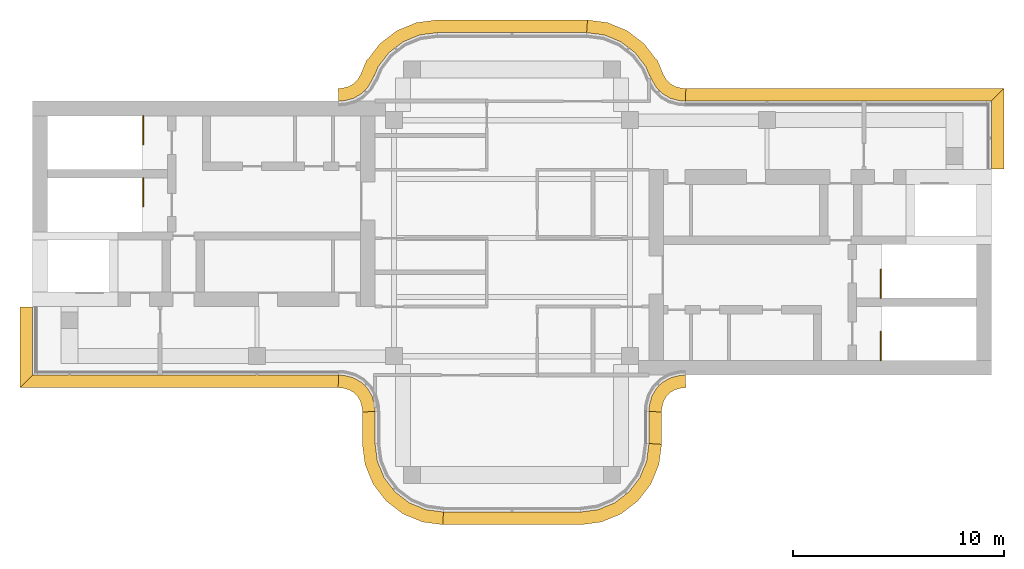
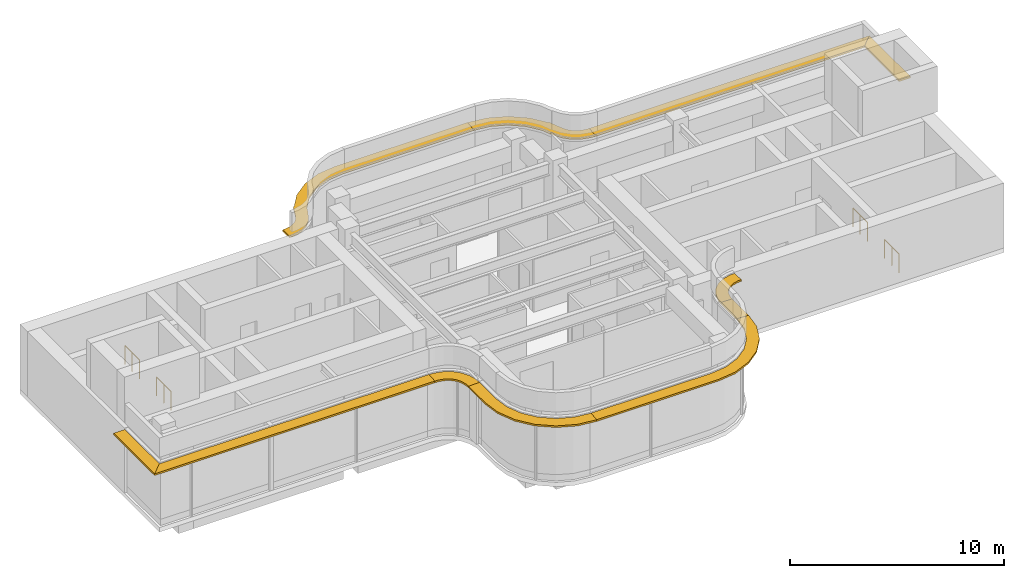
# One storey, part 9 of 9: 11 shading devices, 4 railings.
"""IFC4 building model written with IfcOpenShell, lengths in metres."""

from ifc_helpers import new_model, si_unit, direction, frame, origin, origin_2d, place, context, subcontext, project, spatial, polyline, circle, outline, extrude, source, transform, mapped, material, layer, layer_set, type_object, element, save


model = new_model("IFC4")

# Units and contexts
model_context = context("Model", 3, precision=1e-05, world=origin(), true_north=direction((0.0, 1.0)))
body_context = subcontext(model_context, "Body", "Model", "MODEL_VIEW")
ifc_project = project(units=[si_unit("LENGTHUNIT", "METRE"), si_unit("AREAUNIT", "SQUARE_METRE"), si_unit("VOLUMEUNIT", "CUBIC_METRE"), si_unit("PLANEANGLEUNIT", "RADIAN"), si_unit("MASSUNIT", "GRAM", prefix="KILO")], contexts=[model_context])

# Site, building, storey
site_placement = place(None, origin())
site = spatial("IfcSite", under=ifc_project, at=site_placement, CompositionType="ELEMENT")
building_placement = place(site_placement, origin())
building = spatial("IfcBuilding", under=site, at=building_placement, Name="Trellis Farm Tower", CompositionType="ELEMENT")
storey_placement = place(building_placement, frame((0.0, 0.0, 358.10009765625)))
storey = spatial("IfcBuildingStorey", under=building, at=storey_placement, Name="L81", CompositionType="ELEMENT", Elevation=358.10009765625)

# Railings
ifc_material_1 = material(Name="Stainless steel", Category="steel")
railing_type = type_object("IfcRailingType", Name="STAIR GUARD 1100", PredefinedType="GUARDRAIL", material=ifc_material_1)
shared_shape_1 = source(origin(), body_context, "Body", "SweptSolid", [
    extrude(circle(Radius=0.02392578125, at=origin_2d()), frame((0.0, 0.0, 1.076171875), z_axis=(0.0, 1.0, 0.0), x_axis=(-1.0, 0.0, 0.0)), (0.0, 0.0, 1.0), 1.35009765625),
    extrude(circle(Radius=0.02099609375, at=origin_2d()), origin(), (0.0, 0.0, 1.0), 1.052001953125),
    extrude(circle(Radius=0.02099609375, at=origin_2d()), frame((0.0, 0.675048828125, 0.0)), (0.0, 0.0, 1.0), 1.052001953125),
    extrude(circle(Radius=0.02099609375, at=origin_2d()), frame((0.0, 1.35009765625, 0.0)), (0.0, 0.0, 1.0), 1.052001953125),
])
for number, where, name in (
    (1, (17.5, -5.800048828125, 0.0), "Stair guard"),
    (2, (17.5, -2.85009765625, 0.0), "Stair guard"),
):
    element("IfcRailing", number, at=place(storey_placement, frame(where)), inside=storey, type_object=railing_type, Name=name, PredefinedType="GUARDRAIL", context=body_context, shape_type="MappedRepresentation", body=[
        mapped(shared_shape_1, transform((0.0, 0.0, 0.0))),
    ])
shared_shape_2 = source(origin(), body_context, "Body", "SweptSolid", [
    extrude(circle(Radius=0.02392578125, at=origin_2d()), frame((0.0, 0.0, 1.076171875), z_axis=(0.0, -1.0, 0.0), x_axis=(1.0, 0.0, 0.0)), (0.0, 0.0, 1.0), 1.35009765625),
    extrude(circle(Radius=0.02099609375, at=origin_2d()), origin(), (0.0, 0.0, 1.0), 1.052001953125),
    extrude(circle(Radius=0.02099609375, at=origin_2d()), frame((0.0, -0.675048828125, 0.0)), (0.0, 0.0, 1.0), 1.052001953125),
    extrude(circle(Radius=0.02099609375, at=origin_2d()), frame((0.0, -1.35009765625, 0.0)), (0.0, 0.0, 1.0), 1.052001953125),
])
for number, where, name in (
    (3, (-17.5, 5.800048828125, 0.0), "Stair guard"),
    (4, (-17.5, 2.85009765625, 0.0), "Stair guard"),
):
    element("IfcRailing", number, at=place(storey_placement, frame(where)), inside=storey, type_object=railing_type, Name=name, PredefinedType="GUARDRAIL", context=body_context, shape_type="MappedRepresentation", body=[
        mapped(shared_shape_2, transform((0.0, 0.0, 0.0))),
    ])

# Shading devices
ifc_material_2 = material(Name="Aluminium extrusion 6063-T6", Category="aluminium")
ifc_layer = layer(ifc_material_2, 0.10009765625)
ifc_layer_set = layer_set([ifc_layer], Name="SUNSHADE BLADE 600")
shading_device_type = type_object("IfcShadingDeviceType", Name="SUNSHADE BLADE 600", PredefinedType="USERDEFINED", material=ifc_layer_set)
shared_shape_3 = source(origin(), body_context, "Body", "SweptSolid", [
    extrude(outline(polyline([(7.10009765625, -8.2509765625), (7.111328125, -8.078369140625), (7.1171875, -8.032958984375), (7.19580078125, -7.739990234375), (7.3271484375, -7.5126953125), (7.5126953125, -7.3271484375), (7.739990234375, -7.19580078125), (8.032958984375, -7.1171875), (8.078369140625, -7.111328125), (8.2509765625, -7.10009765625), (8.2314453125, -6.5), (8.01953125, -6.513916015625), (7.91552734375, -6.527587890625), (7.508544921875, -6.63671875), (7.144287109375, -6.846923828125), (6.846923828125, -7.144287109375), (6.63671875, -7.508544921875), (6.527587890625, -7.91552734375), (6.513916015625, -8.01953125), (6.5, -8.2314453125), (7.10009765625, -8.2509765625)])), origin(), (0.0, 0.0, 1.0), 0.10009765625),
])
placement = place(storey_placement, frame((0.0, 0.0, 3.539794921875)))
element("IfcShadingDevice", 5, at=placement, inside=storey, type_object=shading_device_type, Name="SD3 004", ObjectType="SUNSHADE", PredefinedType="USERDEFINED", context=body_context, shape_type="MappedRepresentation", body=[
    mapped(shared_shape_3, transform((0.0, 0.0, 0.0))),
])
shared_shape_4 = source(origin(), body_context, "Body", "SweptSolid", [
    extrude(outline(polyline([(23.35009765625, 3.280029296875), (23.35009765625, 7.10009765625), (22.75, 6.5), (22.75, 3.280029296875), (23.35009765625, 3.280029296875)])), origin(), (0.0, 0.0, 1.0), 0.10009765625),
])
element("IfcShadingDevice", 6, at=placement, inside=storey, type_object=shading_device_type, Name="SD3 005", ObjectType="SUNSHADE", PredefinedType="USERDEFINED", context=body_context, shape_type="MappedRepresentation", body=[
    mapped(shared_shape_4, transform((0.0, 0.0, 0.0))),
])
shared_shape_5 = source(origin(), body_context, "Body", "SweptSolid", [
    extrude(outline(polyline([(23.35009765625, 7.10009765625), (8.2509765625, 7.10009765625), (8.2314453125, 6.5), (22.75, 6.5), (23.35009765625, 7.10009765625)])), origin(), (0.0, 0.0, 1.0), 0.10009765625),
])
element("IfcShadingDevice", 7, at=placement, inside=storey, type_object=shading_device_type, Name="SD3 006", ObjectType="SUNSHADE", PredefinedType="USERDEFINED", context=body_context, shape_type="MappedRepresentation", body=[
    mapped(shared_shape_5, transform((0.0, 0.0, 0.0))),
])
shared_shape_6 = source(origin(), body_context, "Body", "SweptSolid", [
    extrude(outline(polyline([(-23.35009765625, -3.280029296875), (-23.35009765625, -7.10009765625), (-22.75, -6.5), (-22.75, -3.280029296875), (-23.35009765625, -3.280029296875)])), origin(), (0.0, 0.0, 1.0), 0.10009765625),
])
element("IfcShadingDevice", 8, at=placement, inside=storey, type_object=shading_device_type, Name="SD3 009", ObjectType="SUNSHADE", PredefinedType="USERDEFINED", context=body_context, shape_type="MappedRepresentation", body=[
    mapped(shared_shape_6, transform((0.0, 0.0, 0.0))),
])
shared_shape_7 = source(origin(), body_context, "Body", "SweptSolid", [
    extrude(outline(polyline([(-23.35009765625, -7.10009765625), (-8.2509765625, -7.10009765625), (-8.2314453125, -6.5), (-22.75, -6.5), (-23.35009765625, -7.10009765625)])), origin(), (0.0, 0.0, 1.0), 0.10009765625),
])
element("IfcShadingDevice", 9, at=placement, inside=storey, type_object=shading_device_type, Name="SD3 010", ObjectType="SUNSHADE", PredefinedType="USERDEFINED", context=body_context, shape_type="MappedRepresentation", body=[
    mapped(shared_shape_7, transform((0.0, 0.0, 0.0))),
])
shared_shape_8 = source(origin(), body_context, "Body", "SweptSolid", [
    extrude(outline(polyline([(-8.2509765625, -7.10009765625), (-8.078369140625, -7.111328125), (-8.032958984375, -7.1171875), (-7.739990234375, -7.19580078125), (-7.5126953125, -7.3271484375), (-7.3271484375, -7.5126953125), (-7.19580078125, -7.739990234375), (-7.1171875, -8.032958984375), (-7.111328125, -8.078369140625), (-7.10009765625, -8.2509765625), (-6.5, -8.2314453125), (-6.513916015625, -8.01953125), (-6.527587890625, -7.91552734375), (-6.63671875, -7.508544921875), (-6.846923828125, -7.144287109375), (-7.144287109375, -6.846923828125), (-7.508544921875, -6.63671875), (-7.91552734375, -6.527587890625), (-8.01953125, -6.513916015625), (-8.2314453125, -6.5), (-8.2509765625, -7.10009765625)])), origin(), (0.0, 0.0, 1.0), 0.10009765625),
])
element("IfcShadingDevice", 10, at=placement, inside=storey, type_object=shading_device_type, Name="SD3 011", ObjectType="SUNSHADE", PredefinedType="USERDEFINED", context=body_context, shape_type="MappedRepresentation", body=[
    mapped(shared_shape_8, transform((0.0, 0.0, 0.0))),
])
shared_shape_9 = source(origin(), body_context, "Body", "SweptSolid", [
    extrude(outline(polyline([(-7.10009765625, -8.2509765625), (-7.10009765625, -9.789306640625), (-6.973876953125, -10.747802734375), (-6.588623046875, -11.677490234375), (-5.97607421875, -12.47607421875), (-5.177490234375, -13.088623046875), (-4.247802734375, -13.473876953125), (-3.289306640625, -13.60009765625), (-3.25, -13.0), (-4.091064453125, -12.88916015625), (-4.875, -12.564697265625), (-5.548095703125, -12.048095703125), (-6.064697265625, -11.375), (-6.38916015625, -10.591064453125), (-6.5, -9.75), (-6.5, -8.2314453125), (-7.10009765625, -8.2509765625)])), origin(), (0.0, 0.0, 1.0), 0.10009765625),
])
element("IfcShadingDevice", 11, at=placement, inside=storey, type_object=shading_device_type, Name="SD3 001", ObjectType="SUNSHADE", PredefinedType="USERDEFINED", context=body_context, shape_type="MappedRepresentation", body=[
    mapped(shared_shape_9, transform((0.0, 0.0, 0.0))),
])
shared_shape_10 = source(origin(), body_context, "Body", "SweptSolid", [
    extrude(outline(polyline([(-3.289306640625, -13.60009765625), (3.289306640625, -13.60009765625), (4.247802734375, -13.473876953125), (5.177490234375, -13.088623046875), (5.97607421875, -12.47607421875), (6.588623046875, -11.677490234375), (6.973876953125, -10.747802734375), (7.10009765625, -9.789306640625), (6.5, -9.75), (6.38916015625, -10.591064453125), (6.064697265625, -11.375), (5.548095703125, -12.048095703125), (4.875, -12.564697265625), (4.091064453125, -12.88916015625), (3.25, -13.0), (-3.25, -13.0), (-3.289306640625, -13.60009765625)])), origin(), (0.0, 0.0, 1.0), 0.10009765625),
])
element("IfcShadingDevice", 12, at=placement, inside=storey, type_object=shading_device_type, Name="SD3 002", ObjectType="SUNSHADE", PredefinedType="USERDEFINED", context=body_context, shape_type="MappedRepresentation", body=[
    mapped(shared_shape_10, transform((0.0, 0.0, 0.0))),
])
shared_shape_11 = source(origin(), body_context, "Body", "SweptSolid", [
    extrude(outline(polyline([(7.10009765625, -9.789306640625), (7.10009765625, -8.2509765625), (6.5, -8.2314453125), (6.5, -9.75), (7.10009765625, -9.789306640625)])), origin(), (0.0, 0.0, 1.0), 0.10009765625),
])
element("IfcShadingDevice", 13, at=placement, inside=storey, type_object=shading_device_type, Name="SD3 003", ObjectType="SUNSHADE", PredefinedType="USERDEFINED", context=body_context, shape_type="MappedRepresentation", body=[
    mapped(shared_shape_11, transform((0.0, 0.0, 0.0))),
])
shared_shape_12 = source(origin(), body_context, "Body", "SweptSolid", [
    extrude(outline(polyline([(8.2509765625, 7.10009765625), (8.078369140625, 7.111328125), (8.032958984375, 7.1171875), (7.739990234375, 7.19580078125), (7.5126953125, 7.3271484375), (7.3271484375, 7.5126953125), (7.175537109375, 7.775146484375), (6.880126953125, 8.48828125), (6.859375, 8.479736328125), (6.880859375, 8.427490234375), (6.268310546875, 9.22607421875), (5.4697265625, 9.838623046875), (4.5400390625, 10.223876953125), (3.58154296875, 10.35009765625), (3.542236328125, 9.75), (4.38330078125, 9.63916015625), (5.167236328125, 9.314697265625), (5.84033203125, 8.798095703125), (6.356689453125, 8.125), (6.53466796875, 7.69580078125), (6.555419921875, 7.704345703125), (6.63623046875, 7.50927734375), (6.846923828125, 7.144287109375), (7.144287109375, 6.846923828125), (7.508544921875, 6.63671875), (7.91552734375, 6.527587890625), (8.01953125, 6.513916015625), (8.2314453125, 6.5), (8.2509765625, 7.10009765625)])), origin(), (0.0, 0.0, 1.0), 0.10009765625),
])
element("IfcShadingDevice", 14, at=placement, inside=storey, type_object=shading_device_type, Name="SD3 007", ObjectType="SUNSHADE", PredefinedType="USERDEFINED", context=body_context, shape_type="MappedRepresentation", body=[
    mapped(shared_shape_12, transform((0.0, 0.0, 0.0))),
])
shared_shape_13 = source(origin(), body_context, "Body", "SweptSolid", [
    extrude(outline(polyline([(3.58154296875, 10.35009765625), (-3.58154296875, 10.35009765625), (-4.5400390625, 10.223876953125), (-5.4697265625, 9.838623046875), (-6.268310546875, 9.22607421875), (-6.880859375, 8.427490234375), (-6.859375, 8.479736328125), (-6.880126953125, 8.48828125), (-7.175537109375, 7.775146484375), (-7.3271484375, 7.5126953125), (-7.5126953125, 7.3271484375), (-7.739990234375, 7.19580078125), (-8.032958984375, 7.1171875), (-8.078369140625, 7.111328125), (-8.2509765625, 7.10009765625), (-8.2314453125, 6.5), (-8.01953125, 6.513916015625), (-7.91552734375, 6.527587890625), (-7.508544921875, 6.63671875), (-7.144287109375, 6.846923828125), (-6.846923828125, 7.144287109375), (-6.63623046875, 7.50927734375), (-6.555419921875, 7.704345703125), (-6.53466796875, 7.69580078125), (-6.356689453125, 8.125), (-5.84033203125, 8.798095703125), (-5.167236328125, 9.314697265625), (-4.38330078125, 9.63916015625), (-3.542236328125, 9.75), (3.542236328125, 9.75), (3.58154296875, 10.35009765625)])), origin(), (0.0, 0.0, 1.0), 0.10009765625),
])
element("IfcShadingDevice", 15, at=placement, inside=storey, type_object=shading_device_type, Name="SD3 008", ObjectType="SUNSHADE", PredefinedType="USERDEFINED", context=body_context, shape_type="MappedRepresentation", body=[
    mapped(shared_shape_13, transform((0.0, 0.0, 0.0))),
])

save(model, "model.ifc")
